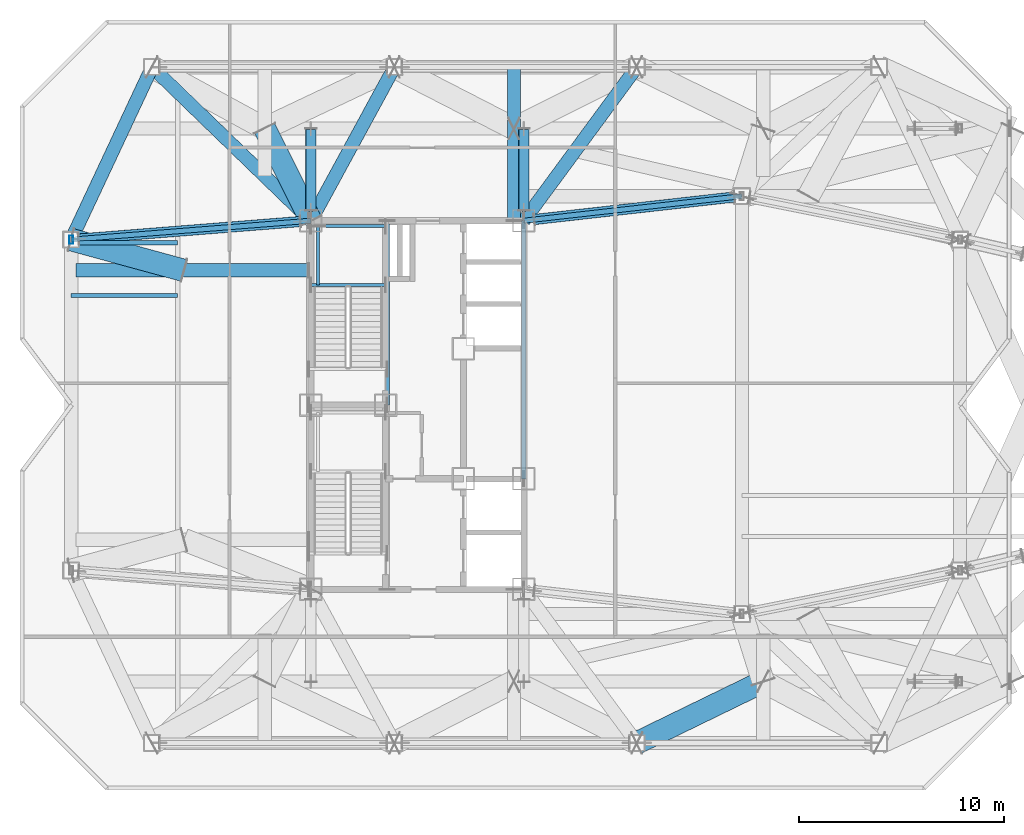
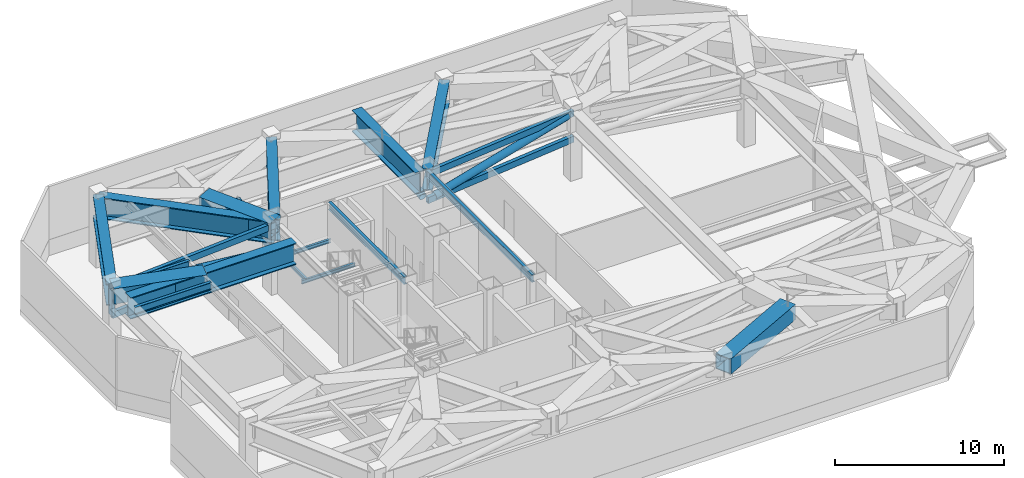
# One storey, part 4 of 19: 16 beams, 9 members.
"""IFC4 building model written with IfcOpenShell, lengths in metres."""

from ifc_helpers import new_model, si_unit, direction, frame, origin, origin_2d, place, context, subcontext, project, spatial, hollow_rectangle, hollow_circle, i_section, extrude, material, material_profile, profile_set, type_object, element, save


model = new_model("IFC4")

# Units and contexts
model_context = context("Model", 3, precision=1e-05, world=origin(), true_north=direction((0.0, 1.0)))
body_context = subcontext(model_context, "Body", "Model", "MODEL_VIEW")
ifc_project = project(units=[si_unit("LENGTHUNIT", "METRE"), si_unit("AREAUNIT", "SQUARE_METRE"), si_unit("VOLUMEUNIT", "CUBIC_METRE"), si_unit("PLANEANGLEUNIT", "RADIAN"), si_unit("MASSUNIT", "GRAM", prefix="KILO")], contexts=[model_context])

# Site, building, storey
site_placement = place(None, origin())
site = spatial("IfcSite", under=ifc_project, at=site_placement, CompositionType="ELEMENT")
building_placement = place(site_placement, origin())
building = spatial("IfcBuilding", under=site, at=building_placement, Name="Khamvora Tower", CompositionType="ELEMENT")
storey_placement = place(building_placement, frame((0.0, 0.0, 211.800048828125)))
storey = spatial("IfcBuildingStorey", under=building, at=storey_placement, Name="L54", CompositionType="ELEMENT", Elevation=211.800048828125)

# Beams
ifc_material_1 = material(Name="Steel S355", Category="steel")
ifc_material_profile_1 = material_profile(ifc_material_1, i_section(OverallWidth=0.14697265625, OverallDepth=0.261962890625, WebThickness=0.007080078125, FlangeThickness=0.010986328125, FilletRadius=0.008056640625, at=origin_2d()), Name="W250x39")
ifc_profile_set_1 = profile_set([ifc_material_profile_1], Name="Steel S355")
beam_type_1 = type_object("IfcBeamType", Name="BM-LN-W250x39", PredefinedType="LINTEL", material=ifc_profile_set_1)
for number, where, z_axis, x_axis, name in (
    (1, (29.0, 33.85498046875, 2.368896484375), (1.0, 0.0, 0.0), (0.0, 1.0, 0.0), "L54 ST-02 half-landing support beam 1.1"),
    (2, (29.0, 36.72998046875, 2.368896484375), (1.0, 0.0, 0.0), (0.0, 1.0, 0.0), "L54 ST-02 half-landing support beam 1.2"),
):
    element("IfcBeam", number, at=place(storey_placement, frame(where, z_axis=z_axis, x_axis=x_axis)), inside=storey, type_object=beam_type_1, Name=name, PredefinedType="LINTEL", context=body_context, shape_type="SweptSolid", body=[
        extrude(i_section(OverallWidth=0.14697265625, OverallDepth=0.261962890625, WebThickness=0.007080078125, FlangeThickness=0.010986328125, FilletRadius=0.008056640625, at=origin_2d()), origin(), (0.0, 0.0, 1.0), 3.64990234375),
    ])
beam_1_placement = place(storey_placement, frame((29.35009765625, 33.85498046875, 2.368896484375), z_axis=(0.0, 1.0, 0.0), x_axis=(-1.0, 0.0, 0.0)))
element("IfcBeam", 3, at=beam_1_placement, inside=storey, type_object=beam_type_1, Name="L54 ST-02 half-landing edge stringer 1", PredefinedType="LINTEL", context=body_context, shape_type="SweptSolid", body=[
    extrude(i_section(OverallWidth=0.14697265625, OverallDepth=0.261962890625, WebThickness=0.007080078125, FlangeThickness=0.010986328125, FilletRadius=0.008056640625, at=origin_2d()), origin(), (0.0, 0.0, 1.0), 2.875),
])
ifc_material_profile_2 = material_profile(ifc_material_1, i_section(OverallWidth=0.208984375, OverallDepth=0.532958984375, WebThickness=0.010009765625, FlangeThickness=0.01611328125, FilletRadius=0.013916015625, at=origin_2d()), Name="W530x92")
ifc_profile_set_2 = profile_set([ifc_material_profile_2], Name="Steel S355")
beam_type_2 = type_object("IfcBeamType", Name="BM-SP-W530x92", PredefinedType="SPANDREL", material=ifc_profile_set_2)
beam_2_placement = place(storey_placement, frame((32.72998046875, 28.0, 4.712890625), z_axis=(0.0, 1.0, 0.0), x_axis=(-1.0, 0.0, 0.0)))
element("IfcBeam", 4, at=beam_2_placement, inside=storey, type_object=beam_type_2, Name="L54 core spine girder M1N", PredefinedType="SPANDREL", context=body_context, shape_type="SweptSolid", body=[
    extrude(i_section(OverallWidth=0.208984375, OverallDepth=0.532958984375, WebThickness=0.010009765625, FlangeThickness=0.01611328125, FilletRadius=0.013916015625, at=origin_2d()), origin(), (0.0, 0.0, 1.0), 9.0),
])
beam_3_placement = place(storey_placement, frame((39.39990234375, 24.39990234375, 4.712890625), z_axis=(0.0, 1.0, 0.0), x_axis=(-1.0, 0.0, 0.0)))
element("IfcBeam", 5, at=beam_3_placement, inside=storey, type_object=beam_type_2, Name="L54 core spine girder EN", PredefinedType="SPANDREL", context=body_context, shape_type="SweptSolid", body=[
    extrude(i_section(OverallWidth=0.208984375, OverallDepth=0.532958984375, WebThickness=0.010009765625, FlangeThickness=0.01611328125, FilletRadius=0.013916015625, at=origin_2d()), origin(), (0.0, 0.0, 1.0), 12.60009765625),
])
for number, where, z_axis, x_axis, name in (
    (6, (22.5, 33.35009765625, 4.712890625), (-1.0, 0.0, 0.0), (0.0, -1.0, 0.0), "L54 continuous gallery cantilever girder L55-WL2-1"),
    (7, (22.5, 35.925048828125, 4.712890625), (-1.0, 0.0, 0.0), (0.0, -1.0, 0.0), "L54 continuous gallery cantilever girder L55-WL2-2"),
):
    element("IfcBeam", number, at=place(storey_placement, frame(where, z_axis=z_axis, x_axis=x_axis)), inside=storey, type_object=beam_type_2, Name=name, PredefinedType="SPANDREL", context=body_context, shape_type="SweptSolid", body=[
        extrude(i_section(OverallWidth=0.208984375, OverallDepth=0.532958984375, WebThickness=0.010009765625, FlangeThickness=0.01611328125, FilletRadius=0.013916015625, at=origin_2d()), origin(), (0.0, 0.0, 1.0), 5.199951171875),
    ])
ifc_material_2 = material(Name="Steel S460", Category="steel")
ifc_material_profile_3 = material_profile(ifc_material_2, hollow_rectangle(XDim=1.10009765625, YDim=1.10009765625, WallThickness=0.054931640625, at=origin_2d()), Name="BOX1100x1100x55")
ifc_profile_set_3 = profile_set([ifc_material_profile_3], Name="Steel S460")
beam_type_3 = type_object("IfcBeamType", Name="BM-TG-BOX1100", PredefinedType="BEAM", material=ifc_profile_set_3)
beam_4_placement = place(storey_placement, frame((44.9169921875, 11.5, 4.429931640625), z_axis=(0.899216917897, 0.437503068068, 0.0), x_axis=(-0.437503068068, 0.899216917897, 0.0)))
element("IfcBeam", 8, at=beam_4_placement, inside=storey, type_object=beam_type_3, Name="L54 Zone Transfer Truss frame transfer link S3.3", PredefinedType="BEAM", context=body_context, shape_type="SweptSolid", body=[
    extrude(hollow_rectangle(XDim=1.10009765625, YDim=1.10009765625, WallThickness=0.054931640625, at=origin_2d()), origin(), (0.0, 0.0, 1.0), 6.857177734375),
])
beam_5_placement = place(storey_placement, frame((29.0, 37.0, 4.429931640625), z_axis=(-0.4472135955, 0.894427191, 0.0), x_axis=(-0.894427191, -0.4472135955, 0.0)))
element("IfcBeam", 9, at=beam_5_placement, inside=storey, type_object=beam_type_3, Name="L54 Zone Transfer Truss frame transfer link N1.1", PredefinedType="BEAM", context=body_context, shape_type="SweptSolid", body=[
    extrude(hollow_rectangle(XDim=1.10009765625, YDim=1.10009765625, WallThickness=0.054931640625, at=origin_2d()), origin(), (0.0, 0.0, 1.0), 5.03125),
])
beam_6_placement = place(storey_placement, frame((17.300048828125, 36.074951171875, 4.429931640625), z_axis=(0.964763821238, -0.263117405792, 0.0), x_axis=(0.263117405792, 0.964763821238, 0.0)))
element("IfcBeam", 10, at=beam_6_placement, inside=storey, type_object=beam_type_3, Name="L54 Zone Transfer Truss frame transfer link W2.1", PredefinedType="BEAM", context=body_context, shape_type="SweptSolid", body=[
    extrude(hollow_rectangle(XDim=1.10009765625, YDim=1.10009765625, WallThickness=0.054931640625, at=origin_2d()), origin(), (0.0, 0.0, 1.0), 5.700927734375),
])
ifc_material_profile_4 = material_profile(ifc_material_2, i_section(OverallWidth=0.64990234375, OverallDepth=1.550048828125, WebThickness=0.0400390625, FlangeThickness=0.06494140625, at=origin_2d()), Name="PG1550x650x40x65")
ifc_profile_set_4 = profile_set([ifc_material_profile_4], Name="Steel S460")
beam_type_4 = type_object("IfcBeamType", Name="BM-TG-PG1800", PredefinedType="BEAM", material=ifc_profile_set_4)
beam_7_placement = place(storey_placement, frame((21.25, 44.5, 4.204833984375), z_axis=(-0.424496391454, -0.905429629315, 0.0), x_axis=(0.905429629315, -0.424496391454, 0.0)))
element("IfcBeam", 11, at=beam_7_placement, inside=storey, type_object=beam_type_4, Name="L54 perimeter spandrel beam N1-W2", PredefinedType="BEAM", context=body_context, shape_type="SweptSolid", body=[
    extrude(i_section(OverallWidth=0.64990234375, OverallDepth=1.550048828125, WebThickness=0.0400390625, FlangeThickness=0.06494140625, at=origin_2d()), origin(), (0.0, 0.0, 1.0), 9.304931640625),
])
beam_8_placement = place(storey_placement, frame((29.0, 37.0, 4.204833984375), z_axis=(-0.718602141767, 0.695421427516, 0.0), x_axis=(-0.695421427516, -0.718602141767, 0.0)))
element("IfcBeam", 12, at=beam_8_placement, inside=storey, type_object=beam_type_4, Name="L54 primary floor girder N1", PredefinedType="BEAM", context=body_context, shape_type="SweptSolid", body=[
    extrude(i_section(OverallWidth=0.64990234375, OverallDepth=1.550048828125, WebThickness=0.0400390625, FlangeThickness=0.06494140625, at=origin_2d()), origin(), (0.0, 0.0, 1.0), 10.784912109375),
])
beam_9_placement = place(storey_placement, frame((29.0, 37.0, 4.204833984375), z_axis=(0.478138862063, 0.878284252725, 0.0), x_axis=(-0.878284252725, 0.478138862063, 0.0)))
element("IfcBeam", 13, at=beam_9_placement, inside=storey, type_object=beam_type_4, Name="L54 primary floor girder N2", PredefinedType="BEAM", context=body_context, shape_type="SweptSolid", body=[
    extrude(i_section(OverallWidth=0.64990234375, OverallDepth=1.550048828125, WebThickness=0.0400390625, FlangeThickness=0.06494140625, at=origin_2d()), origin(), (0.0, 0.0, 1.0), 8.539306640625),
])
beam_10_placement = place(storey_placement, frame((39.39990234375, 37.0, 4.204833984375), z_axis=(0.592556630955, 0.805528794713, 0.0), x_axis=(-0.805528794713, 0.592556630955, 0.0)))
element("IfcBeam", 14, at=beam_10_placement, inside=storey, type_object=beam_type_4, Name="L54 primary floor girder N3", PredefinedType="BEAM", context=body_context, shape_type="SweptSolid", body=[
    extrude(i_section(OverallWidth=0.64990234375, OverallDepth=1.550048828125, WebThickness=0.0400390625, FlangeThickness=0.06494140625, at=origin_2d()), origin(), (0.0, 0.0, 1.0), 9.310546875),
])
beam_11_placement = place(storey_placement, frame((38.9169921875, 37.0, 4.204833984375), z_axis=(0.0, 1.0, 0.0), x_axis=(-1.0, 0.0, 0.0)))
element("IfcBeam", 15, at=beam_11_placement, inside=storey, type_object=beam_type_4, Name="L54 Zone Transfer Truss Box Girder N2", PredefinedType="BEAM", context=body_context, shape_type="SweptSolid", body=[
    extrude(i_section(OverallWidth=0.64990234375, OverallDepth=1.550048828125, WebThickness=0.0400390625, FlangeThickness=0.06494140625, at=origin_2d()), origin(), (0.0, 0.0, 1.0), 7.5),
])
beam_12_placement = place(storey_placement, frame((17.5400390625, 34.574951171875, 4.204833984375), z_axis=(1.0, 0.0, 0.0), x_axis=(0.0, 1.0, 0.0)))
element("IfcBeam", 16, at=beam_12_placement, inside=storey, type_object=beam_type_4, Name="L54 Zone Transfer Truss Box Girder W2", PredefinedType="BEAM", context=body_context, shape_type="SweptSolid", body=[
    extrude(i_section(OverallWidth=0.64990234375, OverallDepth=1.550048828125, WebThickness=0.0400390625, FlangeThickness=0.06494140625, at=origin_2d()), origin(), (0.0, 0.0, 1.0), 11.35986328125),
])

# Members
ifc_material_profile_5 = material_profile(ifc_material_2, hollow_circle(Radius=0.25390625, WallThickness=0.02490234375, at=origin_2d()), Name="CHS508x25")
ifc_profile_set_5 = profile_set([ifc_material_profile_5], Name="Steel S460")
member_type_1 = type_object("IfcMemberType", Name="MEM-BR-CHS508I", PredefinedType="BRACE", material=ifc_profile_set_5)
member_1_placement = place(storey_placement, frame((28.47802734375, 36.958984375, 2.843017578125), z_axis=(-0.984468792252, -0.077817816539, 0.157370850256), x_axis=(0.078799694086, -0.996890469516, 0.0)))
element("IfcMember", 17, at=member_1_placement, inside=storey, type_object=member_type_1, Name="L54 Outrigger Truss Web Diagonal 2", PredefinedType="BRACE", context=body_context, shape_type="SweptSolid", body=[
    extrude(hollow_circle(Radius=0.25390625, WallThickness=0.02490234375, at=origin_2d()), origin(), (0.0, 0.0, 1.0), 10.974365234375),
])
member_2_placement = place(storey_placement, frame((39.9189453125, 37.05810546875, 2.850830078125), z_axis=(0.978910332825, 0.1103242451, 0.171939295193), x_axis=(-0.111992081939, 0.993709099074, 0.0)))
element("IfcMember", 18, at=member_2_placement, inside=storey, type_object=member_type_1, Name="L54 Outrigger Truss Web Diagonal 5", PredefinedType="BRACE", context=body_context, shape_type="SweptSolid", body=[
    extrude(hollow_circle(Radius=0.25390625, WallThickness=0.02490234375, at=origin_2d()), origin(), (0.0, 0.0, 1.0), 9.96923828125),
])
for number, where, z_axis, x_axis, name in (
    (19, (29.0, 37.514892578125, 2.674072265625), (0.0, 0.972421359479, 0.233231000574), (-1.0, 0.0, 0.0), "L54 Transfer Girder Raking Strut N4.1"),
    (20, (39.39990234375, 37.514892578125, 2.674072265625), (0.0, 0.972421359479, 0.233231000574), (-1.0, 0.0, 0.0), "L54 Transfer Girder Raking Strut N4.2"),
):
    element("IfcMember", number, at=place(storey_placement, frame(where, z_axis=z_axis, x_axis=x_axis)), inside=storey, type_object=member_type_1, Name=name, PredefinedType="BRACE", context=body_context, shape_type="SweptSolid", body=[
        extrude(hollow_circle(Radius=0.25390625, WallThickness=0.02490234375, at=origin_2d()), origin(), (0.0, 0.0, 1.0), 4.09814453125),
    ])
ifc_material_profile_6 = material_profile(ifc_material_2, hollow_rectangle(XDim=0.25, YDim=0.449951171875, WallThickness=0.01611328125, at=origin_2d()), Name="RHS450x250x16")
ifc_profile_set_6 = profile_set([ifc_material_profile_6], Name="Steel S460")
member_type_2 = type_object("IfcMemberType", Name="MEM-CH-RHS450", PredefinedType="CHORD", material=ifc_profile_set_6)
for number, where, z_axis, x_axis, name in (
    (21, (29.0, 37.0, 4.6298828125), (-0.996888993668, -0.078818362728, 0.0), (0.078818362728, -0.996888993668, 0.0), "L54 Outrigger Truss Top Chord 2"),
    (22, (29.0, 37.0, 2.760009765625), (-0.996888993668, -0.078818362728, 0.0), (0.078818362728, -0.996888993668, 0.0), "L54 Outrigger Truss Bottom Chord 2"),
):
    element("IfcMember", number, at=place(storey_placement, frame(where, z_axis=z_axis, x_axis=x_axis)), inside=storey, type_object=member_type_2, Name=name, PredefinedType="CHORD", context=body_context, shape_type="SweptSolid", body=[
        extrude(hollow_rectangle(XDim=0.25, YDim=0.449951171875, WallThickness=0.01611328125, at=origin_2d()), origin(), (0.0, 0.0, 1.0), 11.736572265625),
    ])
for number, where, z_axis, x_axis, name in (
    (23, (39.39990234375, 37.0, 4.6298828125), (0.993712543569, 0.111961514606, 0.0), (-0.111961514606, 0.993712543569, 0.0), "L54 Outrigger Truss Top Chord 5"),
    (24, (39.39990234375, 37.0, 2.760009765625), (0.993712543569, 0.111961514606, 0.0), (-0.111961514606, 0.993712543569, 0.0), "L54 Outrigger Truss Bottom Chord 5"),
):
    element("IfcMember", number, at=place(storey_placement, frame(where, z_axis=z_axis, x_axis=x_axis)), inside=storey, type_object=member_type_2, Name=name, PredefinedType="CHORD", context=body_context, shape_type="SweptSolid", body=[
        extrude(hollow_rectangle(XDim=0.25, YDim=0.449951171875, WallThickness=0.01611328125, at=origin_2d()), origin(), (0.0, 0.0, 1.0), 10.717529296875),
    ])
ifc_material_profile_7 = material_profile(ifc_material_1, hollow_rectangle(XDim=0.199951171875, YDim=0.39990234375, WallThickness=0.01611328125, at=origin_2d()), Name="RHS400x200x16")
ifc_profile_set_7 = profile_set([ifc_material_profile_7], Name="Steel S355")
member_type_3 = type_object("IfcMemberType", Name="MEM-PS-RHS400", PredefinedType="POST", material=ifc_profile_set_7)
member_3_placement = place(storey_placement, frame((17.300048828125, 36.074951171875, 2.760009765625), z_axis=(0.0, 0.0, 1.0), x_axis=(1.0, 0.0, 0.0)))
element("IfcMember", 25, at=member_3_placement, inside=storey, type_object=member_type_3, Name="L54 Outrigger Truss Post 2", PredefinedType="POST", context=body_context, shape_type="SweptSolid", body=[
    extrude(hollow_rectangle(XDim=0.199951171875, YDim=0.39990234375, WallThickness=0.01611328125, at=origin_2d()), origin(), (0.0, 0.0, 1.0), 1.869873046875),
])

save(model, "model.ifc")
